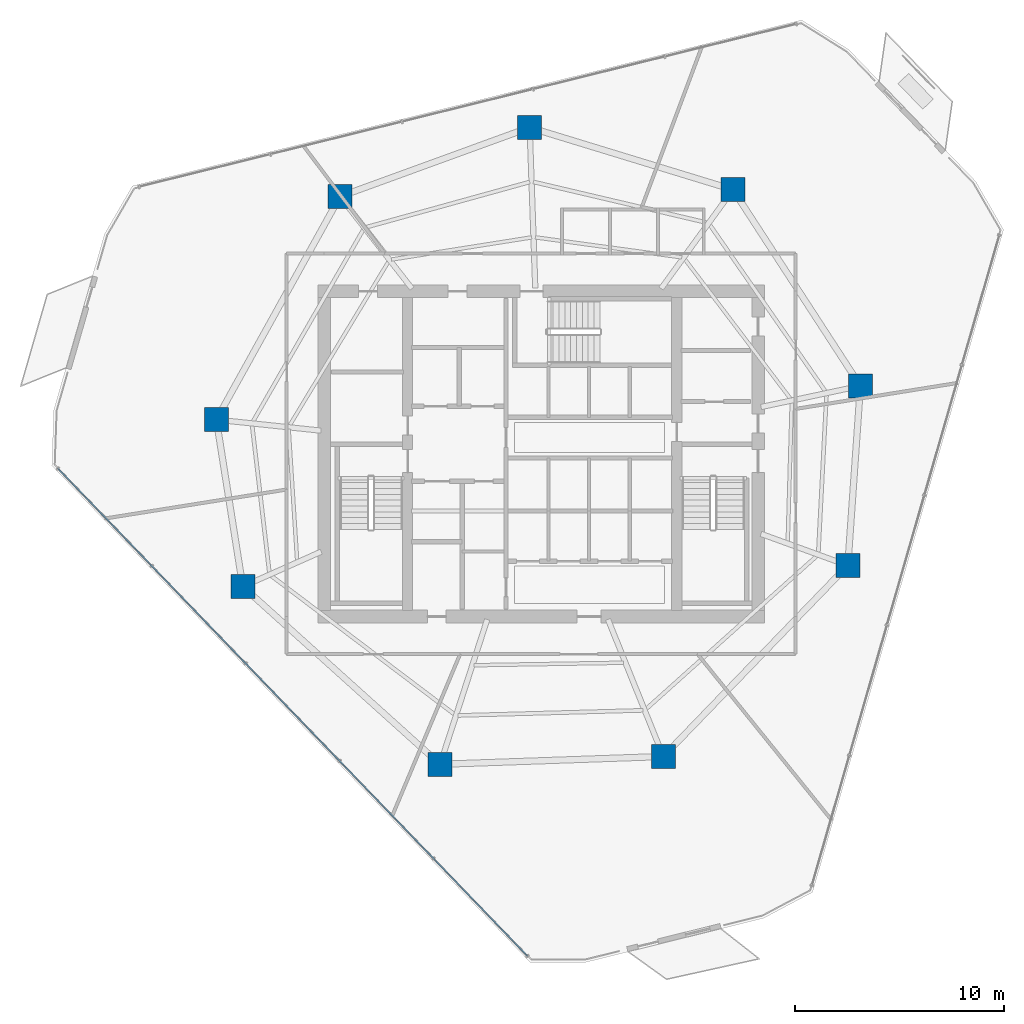
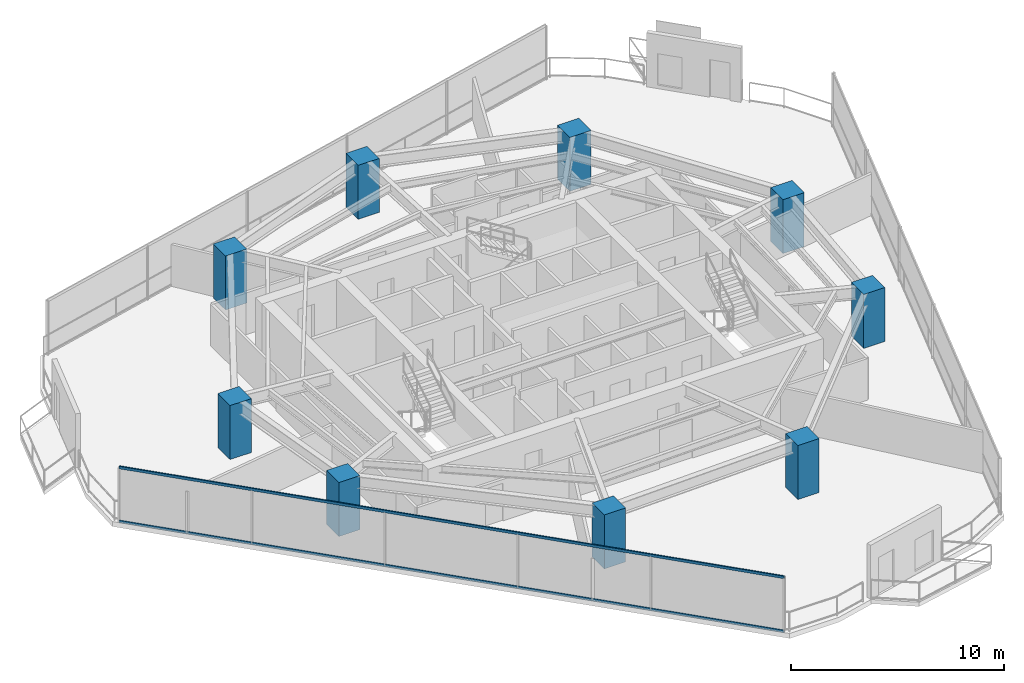
# One storey, part 1 of 23: 9 columns, 2 members, 1 element without a shape of its own.
"""IFC4 building model written with IfcOpenShell, lengths in metres."""

import ifcopenshell
import ifcopenshell.guid

model = None  # the IFC model being written
_history = None  # IfcOwnerHistory: only IFC2X3 demands one
_inside = {}  # id of a spatial element -> (the spatial element, [elements in it])
_under = {}  # id of a project, library or spatial element -> (it, [spatial elements below it])
_declared = {}  # id of a project -> (the project, [libraries it declares])
_typed = {}  # id of a type object -> (the type object, [elements of that type])
_made_of = {}  # id of a material, layer set ... -> (it, [elements and type objects made of it])


def new_model(schema):
    """Start an empty IFC model of exactly this schema.

    Asked for "IFC4X3", IfcOpenShell would pick the latest addendum, in which some entities
    have other attributes; the version numbers below select the first issue.
    IFC2X3 requires an IfcOwnerHistory on every rooted entity: one is made here for all.
    """
    global model, _history
    if schema == "IFC4X3":
        model = ifcopenshell.file(schema_version=(4, 3, 0, 0))
    else:
        model = ifcopenshell.file(schema=schema)
    _inside.clear()
    _under.clear()
    _declared.clear()
    _typed.clear()
    _made_of.clear()
    _history = None
    if model.schema == "IFC2X3":
        org = make("IfcOrganization", Name="unknown")
        user = make(
            "IfcPersonAndOrganization",
            ThePerson=make("IfcPerson", FamilyName="unknown"),
            TheOrganization=org,
        )
        app = make(
            "IfcApplication",
            ApplicationDeveloper=org,
            Version="unknown",
            ApplicationFullName="unknown",
            ApplicationIdentifier="unknown",
        )
        _history = make(
            "IfcOwnerHistory",
            OwningUser=user,
            OwningApplication=app,
            ChangeAction="ADDED",
            CreationDate=0,
        )
    return model


def make(cls, **values):
    """One entity of the class cls with the attributes given. An attribute that is None is left unset."""
    return model.create_entity(
        cls, **{name: value for name, value in values.items() if value is not None}
    )


def rooted(cls, **values):
    """An entity with a GlobalId (a new one), such as an element, a storey or a relation."""
    return make(cls, GlobalId=ifcopenshell.guid.new(), OwnerHistory=_history, **values)


def si_unit(unit_type, name, prefix=None):
    """IfcSIUnit, for example si_unit("LENGTHUNIT", "METRE", prefix="MILLI")."""
    return make("IfcSIUnit", UnitType=unit_type, Prefix=prefix, Name=name)


def assignment(units):
    """IfcUnitAssignment: the units of a project."""
    return None if units is None else make("IfcUnitAssignment", Units=units)


def point(xyz):
    """IfcCartesianPoint."""
    return None if xyz is None else make("IfcCartesianPoint", Coordinates=xyz)


def direction(xyz):
    """IfcDirection."""
    return None if xyz is None else make("IfcDirection", DirectionRatios=xyz)


def frame(location, z_axis=None, x_axis=None):
    """IfcAxis2Placement3D, a coordinate frame: its origin and axes. An axis left out is left unset."""
    return make(
        "IfcAxis2Placement3D",
        Location=point(location),
        Axis=direction(z_axis),
        RefDirection=direction(x_axis),
    )


def frame_2d(location, x_axis=None):
    """IfcAxis2Placement2D, a coordinate frame in the plane: its origin and x axis."""
    return make(
        "IfcAxis2Placement2D", Location=point(location), RefDirection=direction(x_axis)
    )


def origin():
    """The frame at (0, 0, 0) with its axes left unset."""
    return frame((0.0, 0.0, 0.0))


def origin_2d():
    """The frame at (0, 0) in the plane with its x axis left unset."""
    return frame_2d((0.0, 0.0))


def place(relative_to, where):
    """IfcLocalPlacement: puts the frame where relative to a parent placement (None: the world)."""
    return make(
        "IfcLocalPlacement", PlacementRelTo=relative_to, RelativePlacement=where
    )


def context(
    kind, dimensions, precision=None, world=None, true_north=None, identifier=None
):
    """IfcGeometricRepresentationContext, for example the 3D "Model" context."""
    return make(
        "IfcGeometricRepresentationContext",
        ContextIdentifier=identifier,
        ContextType=kind,
        CoordinateSpaceDimension=dimensions,
        Precision=precision,
        WorldCoordinateSystem=world,
        TrueNorth=true_north,
    )


def subcontext(parent, identifier, kind, view, scale=None):
    """IfcGeometricRepresentationSubContext, for example "Body" below "Model"."""
    return make(
        "IfcGeometricRepresentationSubContext",
        ContextIdentifier=identifier,
        ContextType=kind,
        ParentContext=parent,
        TargetScale=scale,
        TargetView=view,
    )


def project(units=None, contexts=None):
    """IfcProject with its units and contexts."""
    return rooted(
        "IfcProject",
        Name="project",
        RepresentationContexts=contexts,
        UnitsInContext=assignment(units),
    )


def spatial(cls, under=None, at=None, **own):
    """A site, building, storey or space (cls), placed at a placement, below another one or the project."""
    s = rooted(cls, ObjectPlacement=at, **own)
    if under is not None:
        _under.setdefault(under.id(), (under, []))[1].append(s)
    return s


def profile(cls, at=None, kind="AREA", **sizes):
    """A parametric profile (cls). Its sizes go by their IFC names, for example OverallWidth=200.0."""
    return make(cls, ProfileType=kind, Position=at, **sizes)


def rectangle(**sizes):
    """IfcRectangleProfileDef."""
    return profile("IfcRectangleProfileDef", **sizes)


def hollow_rectangle(**sizes):
    """IfcRectangleHollowProfileDef."""
    return profile("IfcRectangleHollowProfileDef", **sizes)


def extrude(swept, where, along, depth):
    """IfcExtrudedAreaSolid: the profile swept, set in the frame where, extruded along a direction by depth."""
    return make(
        "IfcExtrudedAreaSolid",
        SweptArea=swept,
        Position=where,
        ExtrudedDirection=direction(along),
        Depth=depth,
    )


def shape(context_of_items, identifier, shape_type, items):
    """IfcShapeRepresentation: the items that make up one representation, for example the "Body"."""
    return make(
        "IfcShapeRepresentation",
        ContextOfItems=context_of_items,
        RepresentationIdentifier=identifier,
        RepresentationType=shape_type,
        Items=items,
    )


def material(Name=None, Category=None):
    """IfcMaterial."""
    return make("IfcMaterial", Name=Name, Category=Category)


def layer(
    of_material, thickness, ventilated=None, Name=None, Category=None, Priority=None
):
    """IfcMaterialLayer: one layer of a wall or slab, of a material (None: an air gap)."""
    return make(
        "IfcMaterialLayer",
        Material=of_material,
        LayerThickness=thickness,
        IsVentilated=ventilated,
        Name=Name,
        Category=Category,
        Priority=Priority,
    )


def layer_set(layers, Name=None):
    """IfcMaterialLayerSet."""
    return make("IfcMaterialLayerSet", MaterialLayers=layers, LayerSetName=Name)


def material_profile(
    of_material, cross_section, Name=None, Category=None, Priority=None
):
    """IfcMaterialProfile: a cross section and its material."""
    return make(
        "IfcMaterialProfile",
        Name=Name,
        Material=of_material,
        Profile=cross_section,
        Priority=Priority,
        Category=Category,
    )


def profile_set(profiles, Name=None, composite=None):
    """IfcMaterialProfileSet."""
    return make(
        "IfcMaterialProfileSet",
        Name=Name,
        MaterialProfiles=profiles,
        CompositeProfile=composite,
    )


def made_of(thing, what):
    """Note that an element or type object is made of a material, layer set ...; save() writes the relation."""
    if what is not None:
        _made_of.setdefault(what.id(), (what, []))[1].append(thing)
    return thing


def type_object(cls, material=None, **own):
    """A type object (cls), such as IfcWallType, which elements share."""
    return made_of(rooted(cls, **own), material)


def element(
    cls,
    number,
    at=None,
    inside=None,
    cuts=None,
    type_object=None,
    material=None,
    context=None,
    identifier="Body",
    shape_type=None,
    held_by="IfcProductDefinitionShape",
    body=None,
    shapes=None,
    **own,
):
    """One element of the class cls, such as IfcWall. Its Tag is "e" and its number.

    at: its placement. inside: the storey or other place that contains it. cuts: it is an
    opening in that element (IfcRelVoidsElement). A single representation is given by context,
    identifier, shape_type and body (its items); several are given by shapes. held_by: the class
    of the entity that holds the representations. save() writes the other relations.
    """
    e = rooted(cls, Tag="e%d" % number, ObjectPlacement=at, **own)
    if body is not None:
        shapes = [shape(context, identifier, shape_type, body)]
    if shapes is not None:
        e.Representation = make(held_by, Representations=shapes)
    if inside is not None:
        _inside.setdefault(inside.id(), (inside, []))[1].append(e)
    if cuts is not None:
        rooted(
            "IfcRelVoidsElement", RelatingBuildingElement=cuts, RelatedOpeningElement=e
        )
    if type_object is not None:
        _typed.setdefault(type_object.id(), (type_object, []))[1].append(e)
    return made_of(e, material)


def aggregate(whole, parts):
    """IfcRelAggregates: a whole, such as a stair, and the parts it consists of."""
    return rooted("IfcRelAggregates", RelatingObject=whole, RelatedObjects=parts)


def save(model, path):
    """Write the relations noted so far, then the file.

    IfcRelAggregates (storeys below a building ...), IfcRelContainedInSpatialStructure (elements
    in a storey), IfcRelDefinesByType, IfcRelAssociatesMaterial and IfcRelDeclares: one each for
    every whole, place, type object, material and project.
    """
    for whole, parts in _under.values():
        aggregate(whole, parts)
    for where, things in _inside.values():
        rooted(
            "IfcRelContainedInSpatialStructure",
            RelatedElements=things,
            RelatingStructure=where,
        )
    for kind, things in _typed.values():
        rooted("IfcRelDefinesByType", RelatedObjects=things, RelatingType=kind)
    for what, things in _made_of.values():
        rooted("IfcRelAssociatesMaterial", RelatedObjects=things, RelatingMaterial=what)
    for by, libraries in _declared.values():
        rooted("IfcRelDeclares", RelatingContext=by, RelatedDefinitions=libraries)
    model.write(path)


model = new_model("IFC4")

# Units and contexts
model_context = context("Model", 3, precision=1e-05, world=origin(), true_north=direction((0.0, 1.0)))
body_context = subcontext(model_context, "Body", "Model", "MODEL_VIEW")
ifc_project = project(units=[si_unit("LENGTHUNIT", "METRE"), si_unit("AREAUNIT", "SQUARE_METRE"), si_unit("VOLUMEUNIT", "CUBIC_METRE"), si_unit("PLANEANGLEUNIT", "RADIAN"), si_unit("MASSUNIT", "GRAM", prefix="KILO")], contexts=[model_context])

# Site, building, storey
site_placement = place(None, origin())
site = spatial("IfcSite", under=ifc_project, at=site_placement, CompositionType="ELEMENT")
building_placement = place(site_placement, origin())
building = spatial("IfcBuilding", under=site, at=building_placement, Name="Qarnah Convention Tower", CompositionType="ELEMENT")
storey_placement = place(building_placement, frame((0.0, 0.0, 117.75)))
storey = spatial("IfcBuildingStorey", under=building, at=storey_placement, Name="L31", CompositionType="ELEMENT", Elevation=117.75)

# Columns
ifc_material_1 = material(Name="Concrete C60/75", Category="concrete")
ifc_material_profile_1 = material_profile(ifc_material_1, rectangle(XDim=1.14990234375, YDim=1.14990234375, at=origin_2d()), Name="RC-COL-1150X1150")
ifc_profile_set_1 = profile_set([ifc_material_profile_1], Name="Concrete C60/75")
column_type = type_object("IfcColumnType", Name="COL-Z2-1150", PredefinedType="COLUMN", material=ifc_profile_set_1)
for number, where, z_axis, x_axis, name in (
    (1, (52.508056640625, 29.654052734375, 0.0), (0.0, 0.0, 1.0), (1.0, 0.0, 0.0), "L31 plumb column PC-Z2-01"),
    (2, (46.39892578125, 39.06103515625, 0.0), (0.0, 0.0, 1.0), (1.0, 0.0, 0.0), "L31 plumb column PC-Z2-02"),
    (3, (36.654052734375, 42.0400390625, 0.0), (0.0, 0.0, 1.0), (1.0, 0.0, 0.0), "L31 plumb column PC-Z2-03"),
    (4, (27.56494140625, 38.73193359375, 0.0), (0.0, 0.0, 1.0), (1.0, 0.0, 0.0), "L31 plumb column PC-Z2-04"),
    (5, (21.635986328125, 28.035888671875, 0.0), (0.0, 0.0, 1.0), (1.0, 0.0, 0.0), "L31 plumb column PC-Z2-05"),
    (6, (22.903076171875, 20.034912109375, 0.0), (0.0, 0.0, 1.0), (1.0, 0.0, 0.0), "L31 plumb column PC-Z2-06"),
    (7, (32.364013671875, 11.51611328125, 0.0), (0.0, 0.0, 1.0), (1.0, 0.0, 0.0), "L31 plumb column PC-Z2-07"),
    (8, (43.06298828125, 11.889892578125, 0.0), (0.0, 0.0, 1.0), (1.0, 0.0, 0.0), "L31 plumb column PC-Z2-08"),
    (9, (51.906005859375, 21.047119140625, 0.0), (0.0, 0.0, 1.0), (1.0, 0.0, 0.0), "L31 plumb column PC-Z2-09"),
):
    element("IfcColumn", number, at=place(storey_placement, frame(where, z_axis=z_axis, x_axis=x_axis)), inside=storey, type_object=column_type, Name=name, PredefinedType="COLUMN", context=body_context, shape_type="SweptSolid", body=[
        extrude(rectangle(XDim=1.14990234375, YDim=1.14990234375, at=origin_2d()), origin(), (0.0, 0.0, 1.0), 3.090087890625),
    ])

# Curtain wall, members
ifc_material_2 = material(Name="Tempered Low-E dark glass", Category="glass")
ifc_layer = layer(ifc_material_2, 0.169921875)
ifc_layer_set = layer_set([ifc_layer], Name="Tempered Low-E dark glass")
curtain_wall_type = type_object("IfcCurtainWallType", Name="CWS-02", PredefinedType="NOTDEFINED", material=ifc_layer_set)
curtain_wall_placement = place(storey_placement, origin())
curtain_wall = element("IfcCurtainWall", 10, at=curtain_wall_placement, inside=storey, type_object=curtain_wall_type, Name="L31 unitised curtain wall CW-L31-F2", PredefinedType="NOTDEFINED")
ifc_material_3 = material(Name="Black anodised aluminium", Category="aluminium")
ifc_material_profile_2 = material_profile(ifc_material_3, hollow_rectangle(XDim=0.06494140625, YDim=0.14990234375, WallThickness=0.00390625, at=origin_2d()), Name="TRN-65X150")
ifc_profile_set_2 = profile_set([ifc_material_profile_2], Name="Black anodised aluminium")
member_type = type_object("IfcMemberType", Name="TRN-T2", PredefinedType="USERDEFINED", material=ifc_profile_set_2)
member_1_placement = place(storey_placement, frame((36.552001953125, 2.322998046875, 0.0), z_axis=(-0.693639807784, 0.720322023166, 0.0), x_axis=(-0.720322023166, -0.693639807784, 0.0)))
member_1 = element("IfcMember", 11, at=member_1_placement, type_object=member_type, Name="CW-L31-F2 transom 1", ObjectType="TRANSOM", PredefinedType="USERDEFINED", context=body_context, shape_type="SweptSolid", body=[
    extrude(hollow_rectangle(XDim=0.06494140625, YDim=0.14990234375, WallThickness=0.00390625, at=origin_2d()), origin(), (0.0, 0.0, 1.0), 32.454833984375),
])
member_2_placement = place(storey_placement, frame((36.552001953125, 2.322998046875, 3.090087890625), z_axis=(-0.693639807784, 0.720322023166, 0.0), x_axis=(-0.720322023166, -0.693639807784, 0.0)))
member_2 = element("IfcMember", 12, at=member_2_placement, type_object=member_type, Name="CW-L31-F2 transom 2", ObjectType="TRANSOM", PredefinedType="USERDEFINED", context=body_context, shape_type="SweptSolid", body=[
    extrude(hollow_rectangle(XDim=0.06494140625, YDim=0.14990234375, WallThickness=0.00390625, at=origin_2d()), origin(), (0.0, 0.0, 1.0), 32.454833984375),
])
aggregate(curtain_wall, [member_1, member_2])

save(model, "model.ifc")
